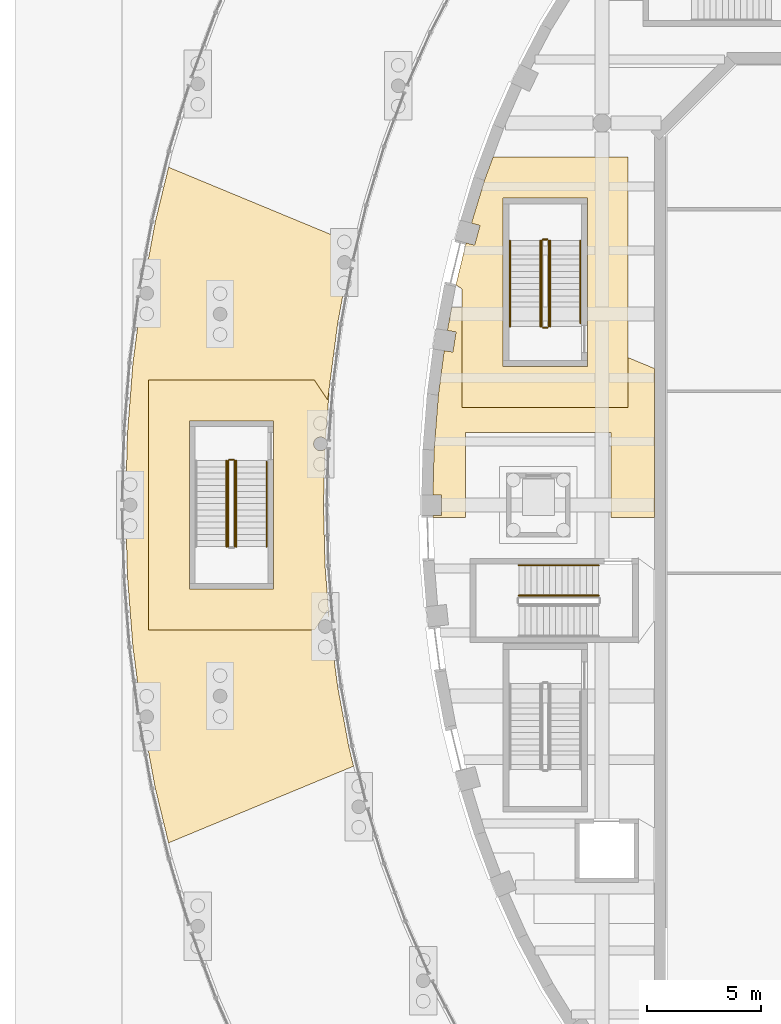
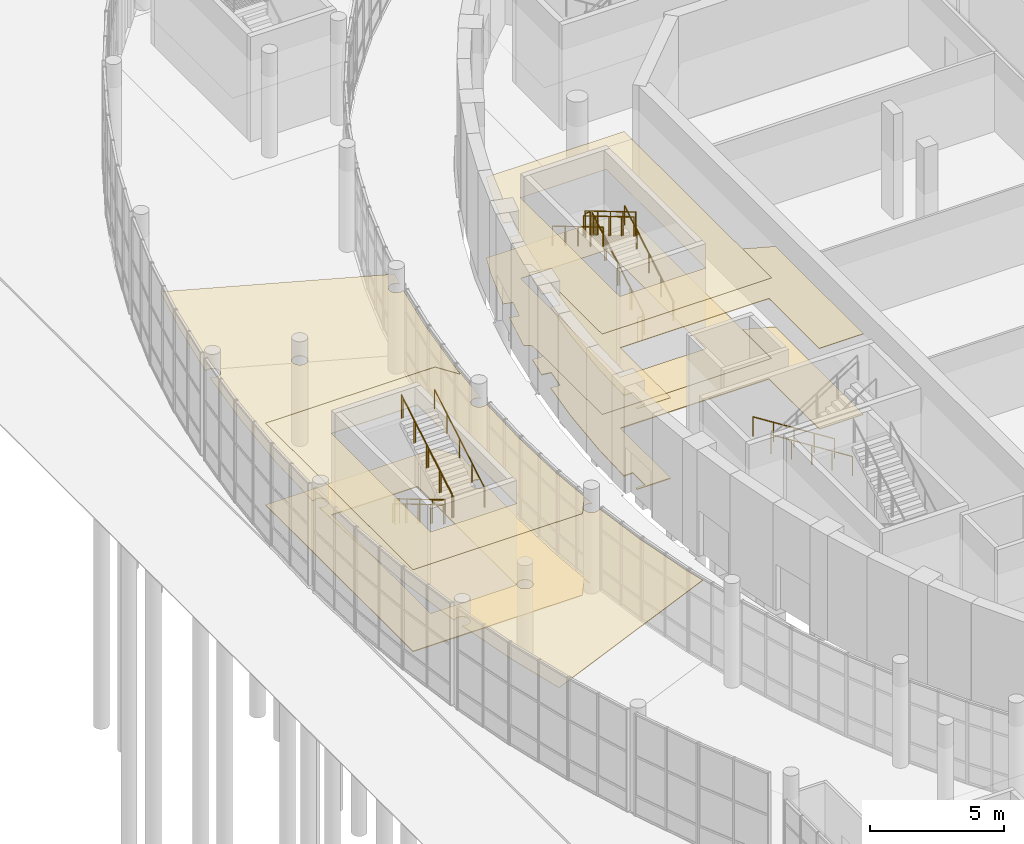
# One storey, part 93 of 110: 16 railings, 7 coverings.
"""IFC4 building model written with IfcOpenShell, lengths in metres."""

from ifc_helpers import new_model, si_unit, direction, frame, origin, origin_2d, place, context, subcontext, project, spatial, polyline, circle, outline, extrude, material, layer, layer_set, type_object, element, save


model = new_model("IFC4")

# Units and contexts
model_context = context("Model", 3, precision=1e-05, world=origin(), true_north=direction((0.0, 1.0)))
body_context = subcontext(model_context, "Body", "Model", "MODEL_VIEW")
ifc_project = project(units=[si_unit("LENGTHUNIT", "METRE"), si_unit("AREAUNIT", "SQUARE_METRE"), si_unit("VOLUMEUNIT", "CUBIC_METRE"), si_unit("PLANEANGLEUNIT", "RADIAN"), si_unit("MASSUNIT", "GRAM", prefix="KILO")], contexts=[model_context])

# Site, building, storey
site_placement = place(None, origin())
site = spatial("IfcSite", under=ifc_project, at=site_placement, CompositionType="ELEMENT")
building_placement = place(site_placement, origin())
building = spatial("IfcBuilding", under=site, at=building_placement, Name="Larchfold Concert Hall", CompositionType="ELEMENT")
storey_placement = place(building_placement, origin())
storey = spatial("IfcBuildingStorey", under=building, at=storey_placement, Name="L00", CompositionType="ELEMENT", Elevation=0.0)

# Coverings
ifc_material_1 = material(Name="Mineral fibre ceiling tile")
ifc_layer_1 = layer(ifc_material_1, 0.02001953125)
ifc_layer_set_1 = layer_set([ifc_layer_1], Name="Mineral fibre ceiling tile")
covering_type_1 = type_object("IfcCoveringType", Name="Ceiling mineral fibre tile 20", PredefinedType="CEILING", material=ifc_layer_set_1)
covering_1_placement = place(storey_placement, frame((0.0, 0.0, 3.68017578125)))
element("IfcCovering", 1, at=covering_1_placement, inside=storey, type_object=covering_type_1, Name="Ceiling Undercroft Escape Corridor 10", PredefinedType="CEILING", context=body_context, shape_type="SweptSolid", body=[
    extrude(outline(polyline([(19.596923828125, 94.128173828125), (19.639892578125, 94.0908203125), (19.64990234375, 93.294189453125), (19.64990234375, 88.89990234375), (26.949951171875, 88.89990234375), (26.949951171875, 99.900146484375), (21.00634765625, 99.900146484375), (20.629638671875, 98.88037109375), (20.057373046875, 96.996337890625), (20.4306640625, 96.89453125), (20.19384765625, 96.0263671875), (19.8203125, 96.128173828125), (19.37109375, 94.277099609375), (19.631591796875, 94.116455078125), (19.596923828125, 94.128173828125)]), holes=[polyline([(21.449951171875, 90.699951171875), (21.449951171875, 98.10009765625), (25.14990234375, 98.10009765625), (25.14990234375, 90.699951171875), (21.449951171875, 90.699951171875)])]), origin(), (0.0, 0.0, 1.0), 0.02001953125),
])
ifc_material_2 = material(Name="Plasterboard ceiling lining")
ifc_layer_2 = layer(ifc_material_2, 0.030029296875)
ifc_layer_set_2 = layer_set([ifc_layer_2], Name="Plasterboard ceiling lining")
covering_type_2 = type_object("IfcCoveringType", Name="Ceiling suspended plasterboard 30", PredefinedType="CEILING", material=ifc_layer_set_2)
covering_2_placement = place(storey_placement, frame((0.0, 0.0, 3.670166015625)))
element("IfcCovering", 2, at=covering_2_placement, inside=storey, type_object=covering_type_2, Name="Ceiling Hall Foyer West", PredefinedType="CEILING", context=body_context, shape_type="SweptSolid", body=[
    extrude(outline(polyline([(19.64990234375, 93.294189453125), (19.185546875, 93.294189453125), (18.99658203125, 92.276611328125), (19.37939453125, 92.216064453125), (19.239013671875, 91.3271484375), (18.85595703125, 91.3876953125), (18.600341796875, 89.433837890625), (18.41259765625, 87.020263671875), (18.36181640625, 85.050048828125), (18.75, 85.050048828125), (18.75, 84.150146484375), (18.36181640625, 84.150146484375), (18.364501953125, 84.050048828125), (19.800048828125, 84.050048828125), (19.800048828125, 87.800048828125), (26.199951171875, 87.800048828125), (26.199951171875, 84.050048828125), (28.10009765625, 84.050048828125), (28.10009765625, 90.60595703125), (26.949951171875, 91.08251953125), (26.949951171875, 88.89990234375), (19.64990234375, 88.89990234375), (19.64990234375, 93.294189453125)])), origin(), (0.0, 0.0, 1.0), 0.030029296875),
])
covering_3_placement = place(storey_placement, frame((0.0, 0.0, 3.719970703125)))
element("IfcCovering", 3, at=covering_3_placement, inside=storey, type_object=covering_type_2, Name="Ceiling Winter Garden Concourse West", PredefinedType="CEILING", context=body_context, shape_type="SweptSolid", body=[
    extrude(outline(polyline([(5.168212890625, 78.366455078125), (5.54541015625, 75.484619140625), (5.59033203125, 75.528076171875), (5.623046875, 75.5498046875), (5.6953125, 75.579833984375), (5.77294921875, 75.590087890625), (5.8505859375, 75.579833984375), (5.9228515625, 75.5498046875), (5.985107421875, 75.502197265625), (6.03271484375, 75.43994140625), (6.050048828125, 75.40478515625), (6.0703125, 75.3291015625), (6.072998046875, 75.2900390625), (6.062744140625, 75.21240234375), (6.03271484375, 75.14013671875), (5.985107421875, 75.077880859375), (5.9228515625, 75.0302734375), (5.8505859375, 75.000244140625), (5.77294921875, 74.989990234375), (5.6953125, 75.000244140625), (5.616455078125, 75.03466796875), (6.1494140625, 72.16064453125), (6.736572265625, 69.742919921875), (14.870849609375, 73.1142578125), (14.66015625, 73.9814453125), (14.17138671875, 76.616455078125), (13.85205078125, 79.06201171875), (13.8076171875, 79.01904296875), (13.77490234375, 78.997314453125), (13.70263671875, 78.96728515625), (13.625, 78.95703125), (13.54736328125, 78.96728515625), (13.47509765625, 78.997314453125), (13.4423828125, 79.01904296875), (13.386962890625, 79.074462890625), (13.347900390625, 79.142333984375), (13.32763671875, 79.218017578125), (13.324951171875, 79.257080078125), (13.335205078125, 79.334716796875), (13.365234375, 79.406982421875), (13.412841796875, 79.46923828125), (13.47509765625, 79.516845703125), (13.54736328125, 79.546875), (13.625, 79.55712890625), (13.70263671875, 79.546875), (13.73974609375, 79.5341796875), (13.79443359375, 79.50390625), (13.732177734375, 79.980712890625), (13.14111328125, 79.099853515625), (5.8505859375, 79.10595703125), (5.8505859375, 90.093994140625), (13.14111328125, 90.10009765625), (13.732177734375, 89.219482421875), (14.17138671875, 92.583740234375), (14.6220703125, 95.013671875), (14.544677734375, 94.980224609375), (14.467041015625, 94.969970703125), (14.389404296875, 94.980224609375), (14.317138671875, 95.01025390625), (14.2548828125, 95.057861328125), (14.207275390625, 95.1201171875), (14.17724609375, 95.1923828125), (14.1669921875, 95.27001953125), (14.169677734375, 95.30908203125), (14.18994140625, 95.384765625), (14.22900390625, 95.45263671875), (14.284423828125, 95.508056640625), (14.317138671875, 95.52978515625), (14.389404296875, 95.559814453125), (14.427978515625, 95.5673828125), (14.506103515625, 95.5673828125), (14.581787109375, 95.547119140625), (14.649658203125, 95.508056640625), (14.7138671875, 95.439453125), (14.870849609375, 96.0859375), (6.736083984375, 99.455322265625), (6.1494140625, 97.03955078125), (5.616455078125, 94.16650390625), (5.6953125, 94.20068359375), (5.77294921875, 94.2109375), (5.8505859375, 94.20068359375), (5.9228515625, 94.170654296875), (5.95556640625, 94.14892578125), (6.010986328125, 94.093505859375), (6.050048828125, 94.025634765625), (6.062744140625, 93.988525390625), (6.072998046875, 93.910888671875), (6.062744140625, 93.833251953125), (6.03271484375, 93.760986328125), (5.985107421875, 93.69873046875), (5.9228515625, 93.651123046875), (5.8505859375, 93.62109375), (5.77294921875, 93.61083984375), (5.6953125, 93.62109375), (5.623046875, 93.651123046875), (5.59033203125, 93.6728515625), (5.54541015625, 93.71630859375), (5.168212890625, 90.833740234375), (4.92626953125, 87.71826171875), (4.8515625, 84.827880859375), (4.93115234375, 84.877197265625), (5.0068359375, 84.8974609375), (5.0849609375, 84.8974609375), (5.16064453125, 84.877197265625), (5.19580078125, 84.85986328125), (5.258056640625, 84.812255859375), (5.3056640625, 84.75), (5.335693359375, 84.677734375), (5.345947265625, 84.60009765625), (5.335693359375, 84.5224609375), (5.3056640625, 84.4501953125), (5.258056640625, 84.387939453125), (5.228515625, 84.362060546875), (5.16064453125, 84.322998046875), (5.0849609375, 84.302734375), (5.0068359375, 84.302734375), (4.93115234375, 84.322998046875), (4.8515625, 84.372314453125), (4.92626953125, 81.48193359375), (5.168212890625, 78.366455078125)]), holes=[polyline([(8.8173828125, 75.9619140625), (8.761962890625, 76.017333984375), (8.740234375, 76.050048828125), (8.710205078125, 76.122314453125), (8.70263671875, 76.160888671875), (8.699951171875, 76.199951171875), (8.710205078125, 76.277587890625), (8.740234375, 76.349853515625), (8.761962890625, 76.382568359375), (8.8173828125, 76.43798828125), (8.85009765625, 76.459716796875), (8.92236328125, 76.48974609375), (8.9609375, 76.497314453125), (9.0390625, 76.497314453125), (9.07763671875, 76.48974609375), (9.14990234375, 76.459716796875), (9.1826171875, 76.43798828125), (9.238037109375, 76.382568359375), (9.259765625, 76.349853515625), (9.289794921875, 76.277587890625), (9.29736328125, 76.239013671875), (9.300048828125, 76.199951171875), (9.289794921875, 76.122314453125), (9.259765625, 76.050048828125), (9.238037109375, 76.017333984375), (9.1826171875, 75.9619140625), (9.14990234375, 75.940185546875), (9.07763671875, 75.91015625), (9.0390625, 75.902587890625), (8.9609375, 75.902587890625), (8.92236328125, 75.91015625), (8.85009765625, 75.940185546875), (8.8173828125, 75.9619140625)]), polyline([(8.8173828125, 92.761962890625), (8.761962890625, 92.8173828125), (8.740234375, 92.85009765625), (8.710205078125, 92.92236328125), (8.70263671875, 92.9609375), (8.699951171875, 93.0), (8.710205078125, 93.07763671875), (8.740234375, 93.14990234375), (8.761962890625, 93.1826171875), (8.8173828125, 93.238037109375), (8.85009765625, 93.259765625), (8.92236328125, 93.289794921875), (8.9609375, 93.29736328125), (9.0390625, 93.29736328125), (9.07763671875, 93.289794921875), (9.14990234375, 93.259765625), (9.1826171875, 93.238037109375), (9.238037109375, 93.1826171875), (9.259765625, 93.14990234375), (9.289794921875, 93.07763671875), (9.29736328125, 93.0390625), (9.300048828125, 93.0), (9.289794921875, 92.92236328125), (9.259765625, 92.85009765625), (9.238037109375, 92.8173828125), (9.1826171875, 92.761962890625), (9.14990234375, 92.740234375), (9.07763671875, 92.710205078125), (9.0390625, 92.70263671875), (8.9609375, 92.70263671875), (8.92236328125, 92.710205078125), (8.85009765625, 92.740234375), (8.8173828125, 92.761962890625)])]), origin(), (0.0, 0.0, 1.0), 0.030029296875),
])
covering_4_placement = place(storey_placement, frame((0.0, 0.0, 3.719970703125)))
element("IfcCovering", 4, at=covering_4_placement, inside=storey, type_object=covering_type_2, Name="Ceiling Foyer 06", PredefinedType="CEILING", context=body_context, shape_type="SweptSolid", body=[
    extrude(outline(polyline([(5.850830078125, 90.09912109375), (5.850830078125, 79.100830078125), (13.149169921875, 79.100830078125), (13.732177734375, 79.980712890625), (13.77685546875, 79.66796875), (13.79345703125, 79.669677734375), (13.617431640625, 81.93115234375), (13.548583984375, 84.60009765625), (13.612060546875, 87.06005859375), (13.53271484375, 87.010986328125), (13.45703125, 86.99072265625), (13.37890625, 86.99072265625), (13.30322265625, 87.010986328125), (13.2353515625, 87.050048828125), (13.179931640625, 87.10546875), (13.158203125, 87.13818359375), (13.128173828125, 87.21044921875), (13.117919921875, 87.2880859375), (13.128173828125, 87.36572265625), (13.158203125, 87.43798828125), (13.179931640625, 87.470703125), (13.2353515625, 87.526123046875), (13.30322265625, 87.565185546875), (13.37890625, 87.58544921875), (13.45703125, 87.58544921875), (13.49560546875, 87.577880859375), (13.56787109375, 87.5478515625), (13.635009765625, 87.49462890625), (13.79345703125, 89.5302734375), (13.77685546875, 89.5322265625), (13.732177734375, 89.219482421875), (13.149169921875, 90.09912109375), (5.850830078125, 90.09912109375)]), holes=[polyline([(7.64990234375, 88.300048828125), (11.35009765625, 88.300048828125), (11.35009765625, 80.89990234375), (7.64990234375, 80.89990234375), (7.64990234375, 88.300048828125)])]), origin(), (0.0, 0.0, 1.0), 0.030029296875),
])
ifc_material_3 = material(Name="Polished terrazzo")
ifc_layer_3 = layer(ifc_material_3, 0.0400390625)
ifc_layer_set_3 = layer_set([ifc_layer_3], Name="Polished terrazzo")
covering_type_3 = type_object("IfcCoveringType", Name="Floor finish terrazzo 40", PredefinedType="FLOORING", material=ifc_layer_set_3)
covering_5_placement = place(storey_placement, origin())
element("IfcCovering", 5, at=covering_5_placement, inside=storey, type_object=covering_type_3, Name="Floor finish Hall Foyer West", PredefinedType="FLOORING", context=body_context, shape_type="SweptSolid", body=[
    extrude(outline(polyline([(19.64990234375, 93.294189453125), (19.185546875, 93.294189453125), (18.99658203125, 92.276611328125), (19.37939453125, 92.216064453125), (19.239013671875, 91.3271484375), (18.85595703125, 91.3876953125), (18.600341796875, 89.433837890625), (18.41259765625, 87.020263671875), (18.36181640625, 85.050048828125), (18.75, 85.050048828125), (18.75, 84.150146484375), (18.36181640625, 84.150146484375), (18.364501953125, 84.050048828125), (19.800048828125, 84.050048828125), (19.800048828125, 87.800048828125), (26.199951171875, 87.800048828125), (26.199951171875, 84.050048828125), (28.10009765625, 84.050048828125), (28.10009765625, 90.60595703125), (26.949951171875, 91.08251953125), (26.949951171875, 88.89990234375), (19.64990234375, 88.89990234375), (19.64990234375, 93.294189453125)])), origin(), (0.0, 0.0, 1.0), 0.0400390625),
])
covering_6_placement = place(storey_placement, origin())
element("IfcCovering", 6, at=covering_6_placement, inside=storey, type_object=covering_type_3, Name="Floor finish Foyer 06", PredefinedType="FLOORING", context=body_context, shape_type="SweptSolid", body=[
    extrude(outline(polyline([(5.850830078125, 90.09912109375), (5.850830078125, 79.100830078125), (13.149169921875, 79.100830078125), (13.732177734375, 79.980712890625), (13.77685546875, 79.66796875), (13.79345703125, 79.669677734375), (13.617431640625, 81.93115234375), (13.548583984375, 84.60009765625), (13.612060546875, 87.06005859375), (13.53271484375, 87.010986328125), (13.45703125, 86.99072265625), (13.37890625, 86.99072265625), (13.30322265625, 87.010986328125), (13.2353515625, 87.050048828125), (13.179931640625, 87.10546875), (13.158203125, 87.13818359375), (13.128173828125, 87.21044921875), (13.117919921875, 87.2880859375), (13.128173828125, 87.36572265625), (13.158203125, 87.43798828125), (13.179931640625, 87.470703125), (13.2353515625, 87.526123046875), (13.30322265625, 87.565185546875), (13.37890625, 87.58544921875), (13.45703125, 87.58544921875), (13.49560546875, 87.577880859375), (13.56787109375, 87.5478515625), (13.635009765625, 87.49462890625), (13.79345703125, 89.5302734375), (13.77685546875, 89.5322265625), (13.732177734375, 89.219482421875), (13.149169921875, 90.09912109375), (5.850830078125, 90.09912109375)]), holes=[polyline([(7.64990234375, 88.300048828125), (11.35009765625, 88.300048828125), (11.35009765625, 80.89990234375), (7.64990234375, 80.89990234375), (7.64990234375, 88.300048828125)])]), origin(), (0.0, 0.0, 1.0), 0.0400390625),
])
ifc_material_4 = material(Name="Linoleum sheet")
ifc_layer_4 = layer(ifc_material_4, 0.02001953125)
ifc_layer_set_4 = layer_set([ifc_layer_4], Name="Linoleum sheet")
covering_type_4 = type_object("IfcCoveringType", Name="Floor finish vinyl 20", PredefinedType="FLOORING", material=ifc_layer_set_4)
covering_7_placement = place(storey_placement, origin())
element("IfcCovering", 7, at=covering_7_placement, inside=storey, type_object=covering_type_4, Name="Floor finish Undercroft Escape Corridor 10", PredefinedType="FLOORING", context=body_context, shape_type="SweptSolid", body=[
    extrude(outline(polyline([(19.596923828125, 94.128173828125), (19.639892578125, 94.0908203125), (19.64990234375, 93.294189453125), (19.64990234375, 88.89990234375), (26.949951171875, 88.89990234375), (26.949951171875, 99.900146484375), (21.00634765625, 99.900146484375), (20.629638671875, 98.88037109375), (20.057373046875, 96.996337890625), (20.4306640625, 96.89453125), (20.19384765625, 96.0263671875), (19.8203125, 96.128173828125), (19.37109375, 94.277099609375), (19.631591796875, 94.116455078125), (19.596923828125, 94.128173828125)]), holes=[polyline([(21.449951171875, 90.699951171875), (21.449951171875, 98.10009765625), (25.14990234375, 98.10009765625), (25.14990234375, 90.699951171875), (21.449951171875, 90.699951171875)])]), origin(), (0.0, 0.0, 1.0), 0.02001953125),
])

# Railings
ifc_material_5 = material(Name="Stainless steel balustrade", Category="steel")
railing_type_1 = type_object("IfcRailingType", Name="Stair guard 1100", PredefinedType="GUARDRAIL", material=ifc_material_5)
railing_1_placement = place(storey_placement, frame((23.449951171875, 92.449951171875, 0.159912109375)))
element("IfcRailing", 8, at=railing_1_placement, inside=storey, type_object=railing_type_1, Name="Guard GR0013", PredefinedType="GUARDRAIL", context=body_context, shape_type="SweptSolid", body=[
    extrude(circle(Radius=0.02392578125, at=origin_2d()), frame((0.0, 0.0, 1.076171875), z_axis=(0.0, 0.860294241299, 0.509797821089), x_axis=(-1.0, 0.0, 0.0)), (0.0, 0.0, 1.0), 4.393798828125),
    extrude(circle(Radius=0.02099609375, at=origin_2d()), origin(), (0.0, 0.0, 1.0), 1.052001953125),
    extrude(circle(Radius=0.02099609375, at=origin_2d()), frame((0.0, 0.945068359375, 0.56005859375)), (0.0, 0.0, 1.0), 1.052001953125),
    extrude(circle(Radius=0.02099609375, at=origin_2d()), frame((0.0, 1.89013671875, 1.1201171875)), (0.0, 0.0, 1.0), 1.052001953125),
    extrude(circle(Radius=0.02099609375, at=origin_2d()), frame((0.0, 2.8349609375, 1.679931640625)), (0.0, 0.0, 1.0), 1.052001953125),
    extrude(circle(Radius=0.02099609375, at=origin_2d()), frame((0.0, 3.780029296875, 2.239990234375)), (0.0, 0.0, 1.0), 1.052001953125),
])
railing_2_placement = place(storey_placement, frame((23.39990234375, 96.280029296875, 2.39990234375)))
element("IfcRailing", 9, at=railing_2_placement, inside=storey, type_object=railing_type_1, Name="Guard GR0018", PredefinedType="GUARDRAIL", context=body_context, shape_type="SweptSolid", body=[
    extrude(circle(Radius=0.02392578125, at=origin_2d()), frame((0.0, 0.0, 1.076171875), z_axis=(-1.0, 0.0, 0.0), x_axis=(0.0, -1.0, 0.0)), (0.0, 0.0, 1.0), 0.199951171875),
    extrude(circle(Radius=0.02099609375, at=origin_2d()), origin(), (0.0, 0.0, 1.0), 1.052001953125),
    extrude(circle(Radius=0.02099609375, at=origin_2d()), frame((-0.199951171875, 0.0, 0.0)), (0.0, 0.0, 1.0), 1.052001953125),
])
railing_3_placement = place(storey_placement, frame((23.14990234375, 96.22998046875, 2.56005859375)))
element("IfcRailing", 10, at=railing_3_placement, inside=storey, type_object=railing_type_1, Name="Guard GR0019", PredefinedType="GUARDRAIL", context=body_context, shape_type="SweptSolid", body=[
    extrude(circle(Radius=0.02392578125, at=origin_2d()), frame((0.0, 0.0, 1.076171875), z_axis=(0.0, -0.860294241299, 0.509797821089), x_axis=(1.0, 0.0, 0.0)), (0.0, 0.0, 1.0), 4.393798828125),
    extrude(circle(Radius=0.02099609375, at=origin_2d()), origin(), (0.0, 0.0, 1.0), 1.052001953125),
    extrude(circle(Radius=0.02099609375, at=origin_2d()), frame((0.0, -0.945068359375, 0.56005859375)), (0.0, 0.0, 1.0), 1.052001953125),
    extrude(circle(Radius=0.02099609375, at=origin_2d()), frame((0.0, -1.89013671875, 1.1201171875)), (0.0, 0.0, 1.0), 1.052001953125),
    extrude(circle(Radius=0.02099609375, at=origin_2d()), frame((0.0, -2.8349609375, 1.679931640625)), (0.0, 0.0, 1.0), 1.052001953125),
    extrude(circle(Radius=0.02099609375, at=origin_2d()), frame((0.0, -3.780029296875, 2.239990234375)), (0.0, 0.0, 1.0), 1.052001953125),
])
railing_4_placement = place(storey_placement, frame((23.39990234375, 92.39990234375, 0.0)))
element("IfcRailing", 11, at=railing_4_placement, inside=storey, type_object=railing_type_1, Name="Guard GR0020", PredefinedType="GUARDRAIL", context=body_context, shape_type="SweptSolid", body=[
    extrude(circle(Radius=0.02392578125, at=origin_2d()), frame((0.0, 0.0, 1.076171875), z_axis=(-1.0, 0.0, 0.0), x_axis=(0.0, -1.0, 0.0)), (0.0, 0.0, 1.0), 0.199951171875),
    extrude(circle(Radius=0.02099609375, at=origin_2d()), origin(), (0.0, 0.0, 1.0), 1.052001953125),
    extrude(circle(Radius=0.02099609375, at=origin_2d()), frame((-0.199951171875, 0.0, 0.0)), (0.0, 0.0, 1.0), 1.052001953125),
])
railing_5_placement = place(storey_placement, frame((9.349853515625, 86.550048828125, 0.159912109375)))
element("IfcRailing", 12, at=railing_5_placement, inside=storey, type_object=railing_type_1, Name="Guard GR0097", PredefinedType="GUARDRAIL", context=body_context, shape_type="SweptSolid", body=[
    extrude(circle(Radius=0.02392578125, at=origin_2d()), frame((0.0, 0.0, 1.076171875), z_axis=(0.0, -0.860294241299, 0.509797821089), x_axis=(1.0, 0.0, 0.0)), (0.0, 0.0, 1.0), 4.393798828125),
    extrude(circle(Radius=0.02099609375, at=origin_2d()), origin(), (0.0, 0.0, 1.0), 1.052001953125),
    extrude(circle(Radius=0.02099609375, at=origin_2d()), frame((0.0, -0.945068359375, 0.56005859375)), (0.0, 0.0, 1.0), 1.052001953125),
    extrude(circle(Radius=0.02099609375, at=origin_2d()), frame((0.0, -1.89013671875, 1.1201171875)), (0.0, 0.0, 1.0), 1.052001953125),
    extrude(circle(Radius=0.02099609375, at=origin_2d()), frame((0.0, -2.8349609375, 1.679931640625)), (0.0, 0.0, 1.0), 1.052001953125),
    extrude(circle(Radius=0.02099609375, at=origin_2d()), frame((0.0, -3.780029296875, 2.239990234375)), (0.0, 0.0, 1.0), 1.052001953125),
])
railing_6_placement = place(storey_placement, frame((9.64990234375, 82.77001953125, 2.56005859375)))
element("IfcRailing", 13, at=railing_6_placement, inside=storey, type_object=railing_type_1, Name="Guard GR0099", PredefinedType="GUARDRAIL", context=body_context, shape_type="SweptSolid", body=[
    extrude(circle(Radius=0.02392578125, at=origin_2d()), frame((0.0, 0.0, 1.076171875), z_axis=(0.0, 0.860294241299, 0.509797821089), x_axis=(-1.0, 0.0, 0.0)), (0.0, 0.0, 1.0), 4.393798828125),
    extrude(circle(Radius=0.02099609375, at=origin_2d()), origin(), (0.0, 0.0, 1.0), 1.052001953125),
    extrude(circle(Radius=0.02099609375, at=origin_2d()), frame((0.0, 0.945068359375, 0.56005859375)), (0.0, 0.0, 1.0), 1.052001953125),
    extrude(circle(Radius=0.02099609375, at=origin_2d()), frame((0.0, 1.89013671875, 1.1201171875)), (0.0, 0.0, 1.0), 1.052001953125),
    extrude(circle(Radius=0.02099609375, at=origin_2d()), frame((0.0, 2.8349609375, 1.679931640625)), (0.0, 0.0, 1.0), 1.052001953125),
    extrude(circle(Radius=0.02099609375, at=origin_2d()), frame((0.0, 3.780029296875, 2.239990234375)), (0.0, 0.0, 1.0), 1.052001953125),
])
railing_7_placement = place(storey_placement, frame((9.39990234375, 86.60009765625, 0.0)))
element("IfcRailing", 14, at=railing_7_placement, inside=storey, type_object=railing_type_1, Name="Guard GR0100", PredefinedType="GUARDRAIL", context=body_context, shape_type="SweptSolid", body=[
    extrude(circle(Radius=0.02392578125, at=origin_2d()), frame((0.0, 0.0, 1.076171875), z_axis=(1.0, 0.0, 0.0), x_axis=(0.0, 1.0, 0.0)), (0.0, 0.0, 1.0), 0.199951171875),
    extrude(circle(Radius=0.02099609375, at=origin_2d()), origin(), (0.0, 0.0, 1.0), 1.052001953125),
    extrude(circle(Radius=0.02099609375, at=origin_2d()), frame((0.199951171875, 0.0, 0.0)), (0.0, 0.0, 1.0), 1.052001953125),
])
ifc_material_6 = material(Name="Stainless steel handrail", Category="steel")
railing_type_2 = type_object("IfcRailingType", Name="Stair handrail 900", PredefinedType="HANDRAIL", material=ifc_material_6)
railing_8_placement = place(storey_placement, frame((24.849853515625, 92.60009765625, 0.2490234375)))
element("IfcRailing", 15, at=railing_8_placement, inside=storey, type_object=railing_type_2, Name="Handrail HR0013", PredefinedType="HANDRAIL", context=body_context, shape_type="SweptSolid", body=[
    extrude(circle(Radius=0.02392578125, at=origin_2d()), frame((0.0, 0.0, 0.8759765625), z_axis=(0.0, 0.860308451506, 0.509773840313), x_axis=(-1.0, 0.0, 0.0)), (0.0, 0.0, 1.0), 4.21923828125),
    extrude(circle(Radius=0.02099609375, at=origin_2d()), origin(), (0.0, 0.0, 1.0), 0.851806640625),
    extrude(circle(Radius=0.02099609375, at=origin_2d()), frame((0.0, 0.907470703125, 0.53759765625)), (0.0, 0.0, 1.0), 0.851806640625),
    extrude(circle(Radius=0.02099609375, at=origin_2d()), frame((0.0, 1.81494140625, 1.075439453125)), (0.0, 0.0, 1.0), 0.851806640625),
    extrude(circle(Radius=0.02099609375, at=origin_2d()), frame((0.0, 2.722412109375, 1.61328125)), (0.0, 0.0, 1.0), 0.851806640625),
    extrude(circle(Radius=0.02099609375, at=origin_2d()), frame((0.0, 3.6298828125, 2.15087890625)), (0.0, 0.0, 1.0), 0.851806640625),
])
railing_9_placement = place(storey_placement, frame((21.75, 96.22998046875, 2.56005859375)))
element("IfcRailing", 16, at=railing_9_placement, inside=storey, type_object=railing_type_2, Name="Handrail HR0014", PredefinedType="HANDRAIL", context=body_context, shape_type="SweptSolid", body=[
    extrude(circle(Radius=0.02392578125, at=origin_2d()), frame((0.0, 0.0, 0.8759765625), z_axis=(0.0, -0.860294241299, 0.509797821089), x_axis=(1.0, 0.0, 0.0)), (0.0, 0.0, 1.0), 4.393798828125),
    extrude(circle(Radius=0.02099609375, at=origin_2d()), origin(), (0.0, 0.0, 1.0), 0.851806640625),
    extrude(circle(Radius=0.02099609375, at=origin_2d()), frame((0.0, -0.945068359375, 0.56005859375)), (0.0, 0.0, 1.0), 0.851806640625),
    extrude(circle(Radius=0.02099609375, at=origin_2d()), frame((0.0, -1.89013671875, 1.1201171875)), (0.0, 0.0, 1.0), 0.851806640625),
    extrude(circle(Radius=0.02099609375, at=origin_2d()), frame((0.0, -2.8349609375, 1.679931640625)), (0.0, 0.0, 1.0), 0.851806640625),
    extrude(circle(Radius=0.02099609375, at=origin_2d()), frame((0.0, -3.780029296875, 2.239990234375)), (0.0, 0.0, 1.0), 0.851806640625),
])
railing_10_placement = place(storey_placement, frame((23.52001953125, 92.449951171875, 0.159912109375)))
element("IfcRailing", 17, at=railing_10_placement, inside=storey, type_object=railing_type_2, Name="Handrail HR0015", PredefinedType="HANDRAIL", context=body_context, shape_type="SweptSolid", body=[
    extrude(circle(Radius=0.02392578125, at=origin_2d()), frame((0.0, 0.0, 0.8759765625), z_axis=(0.0, 0.860294241299, 0.509797821089), x_axis=(-1.0, 0.0, 0.0)), (0.0, 0.0, 1.0), 4.393798828125),
    extrude(circle(Radius=0.02099609375, at=origin_2d()), origin(), (0.0, 0.0, 1.0), 0.851806640625),
    extrude(circle(Radius=0.02099609375, at=origin_2d()), frame((0.0, 0.945068359375, 0.56005859375)), (0.0, 0.0, 1.0), 0.851806640625),
    extrude(circle(Radius=0.02099609375, at=origin_2d()), frame((0.0, 1.89013671875, 1.1201171875)), (0.0, 0.0, 1.0), 0.851806640625),
    extrude(circle(Radius=0.02099609375, at=origin_2d()), frame((0.0, 2.8349609375, 1.679931640625)), (0.0, 0.0, 1.0), 0.851806640625),
    extrude(circle(Radius=0.02099609375, at=origin_2d()), frame((0.0, 3.780029296875, 2.239990234375)), (0.0, 0.0, 1.0), 0.851806640625),
])
railing_11_placement = place(storey_placement, frame((23.079833984375, 96.22998046875, 2.56005859375)))
element("IfcRailing", 18, at=railing_11_placement, inside=storey, type_object=railing_type_2, Name="Handrail HR0016", PredefinedType="HANDRAIL", context=body_context, shape_type="SweptSolid", body=[
    extrude(circle(Radius=0.02392578125, at=origin_2d()), frame((0.0, 0.0, 0.8759765625), z_axis=(0.0, -0.860294241299, 0.509797821089), x_axis=(1.0, 0.0, 0.0)), (0.0, 0.0, 1.0), 4.393798828125),
    extrude(circle(Radius=0.02099609375, at=origin_2d()), origin(), (0.0, 0.0, 1.0), 0.851806640625),
    extrude(circle(Radius=0.02099609375, at=origin_2d()), frame((0.0, -0.945068359375, 0.56005859375)), (0.0, 0.0, 1.0), 0.851806640625),
    extrude(circle(Radius=0.02099609375, at=origin_2d()), frame((0.0, -1.89013671875, 1.1201171875)), (0.0, 0.0, 1.0), 0.851806640625),
    extrude(circle(Radius=0.02099609375, at=origin_2d()), frame((0.0, -2.8349609375, 1.679931640625)), (0.0, 0.0, 1.0), 0.851806640625),
    extrude(circle(Radius=0.02099609375, at=origin_2d()), frame((0.0, -3.780029296875, 2.239990234375)), (0.0, 0.0, 1.0), 0.851806640625),
])
for number, where, name in (
    (19, (25.64990234375, 81.949951171875, 0.17138671875), "Handrail HR0025"),
    (20, (25.64990234375, 80.6201171875, 0.17138671875), "Handrail HR0027"),
):
    element("IfcRailing", number, at=place(storey_placement, frame(where)), inside=storey, type_object=railing_type_2, Name=name, PredefinedType="HANDRAIL", context=body_context, shape_type="SweptSolid", body=[
        extrude(circle(Radius=0.02392578125, at=origin_2d()), frame((0.0, 0.0, 0.8759765625), z_axis=(-0.844219563411, 0.0, 0.53599750816), x_axis=(0.0, -1.0, 0.0)), (0.0, 0.0, 1.0), 4.15771484375),
        extrude(circle(Radius=0.02099609375, at=origin_2d()), origin(), (0.0, 0.0, 1.0), 0.851806640625),
        extrude(circle(Radius=0.02099609375, at=origin_2d()), frame((-0.87744140625, 0.0, 0.55712890625)), (0.0, 0.0, 1.0), 0.851806640625),
        extrude(circle(Radius=0.02099609375, at=origin_2d()), frame((-1.7548828125, 0.0, 1.1142578125)), (0.0, 0.0, 1.0), 0.851806640625),
        extrude(circle(Radius=0.02099609375, at=origin_2d()), frame((-2.632568359375, 0.0, 1.67138671875)), (0.0, 0.0, 1.0), 0.851806640625),
        extrude(circle(Radius=0.02099609375, at=origin_2d()), frame((-3.510009765625, 0.0, 2.228515625)), (0.0, 0.0, 1.0), 0.851806640625),
    ])
railing_12_placement = place(storey_placement, frame((11.0498046875, 82.77001953125, 2.56005859375)))
element("IfcRailing", 21, at=railing_12_placement, inside=storey, type_object=railing_type_2, Name="Handrail HR0094", PredefinedType="HANDRAIL", context=body_context, shape_type="SweptSolid", body=[
    extrude(circle(Radius=0.02392578125, at=origin_2d()), frame((0.0, 0.0, 0.8759765625), z_axis=(0.0, 0.86030708285, 0.509776150088), x_axis=(-1.0, 0.0, 0.0)), (0.0, 0.0, 1.0), 4.335693359375),
    extrude(circle(Radius=0.02099609375, at=origin_2d()), origin(), (0.0, 0.0, 1.0), 0.851806640625),
    extrude(circle(Radius=0.02099609375, at=origin_2d()), frame((0.0, 0.9326171875, 0.552490234375)), (0.0, 0.0, 1.0), 0.851806640625),
    extrude(circle(Radius=0.02099609375, at=origin_2d()), frame((0.0, 1.864990234375, 1.10498046875)), (0.0, 0.0, 1.0), 0.851806640625),
    extrude(circle(Radius=0.02099609375, at=origin_2d()), frame((0.0, 2.79736328125, 1.65771484375)), (0.0, 0.0, 1.0), 0.851806640625),
    extrude(circle(Radius=0.02099609375, at=origin_2d()), frame((0.0, 3.72998046875, 2.210205078125)), (0.0, 0.0, 1.0), 0.851806640625),
])
railing_13_placement = place(storey_placement, frame((9.27978515625, 86.550048828125, 0.159912109375)))
element("IfcRailing", 22, at=railing_13_placement, inside=storey, type_object=railing_type_2, Name="Handrail HR0095", PredefinedType="HANDRAIL", context=body_context, shape_type="SweptSolid", body=[
    extrude(circle(Radius=0.02392578125, at=origin_2d()), frame((0.0, 0.0, 0.8759765625), z_axis=(0.0, -0.860294241299, 0.509797821089), x_axis=(1.0, 0.0, 0.0)), (0.0, 0.0, 1.0), 4.393798828125),
    extrude(circle(Radius=0.02099609375, at=origin_2d()), origin(), (0.0, 0.0, 1.0), 0.851806640625),
    extrude(circle(Radius=0.02099609375, at=origin_2d()), frame((0.0, -0.945068359375, 0.56005859375)), (0.0, 0.0, 1.0), 0.851806640625),
    extrude(circle(Radius=0.02099609375, at=origin_2d()), frame((0.0, -1.89013671875, 1.1201171875)), (0.0, 0.0, 1.0), 0.851806640625),
    extrude(circle(Radius=0.02099609375, at=origin_2d()), frame((0.0, -2.8349609375, 1.679931640625)), (0.0, 0.0, 1.0), 0.851806640625),
    extrude(circle(Radius=0.02099609375, at=origin_2d()), frame((0.0, -3.780029296875, 2.239990234375)), (0.0, 0.0, 1.0), 0.851806640625),
])
railing_14_placement = place(storey_placement, frame((9.719970703125, 82.77001953125, 2.56005859375)))
element("IfcRailing", 23, at=railing_14_placement, inside=storey, type_object=railing_type_2, Name="Handrail HR0096", PredefinedType="HANDRAIL", context=body_context, shape_type="SweptSolid", body=[
    extrude(circle(Radius=0.02392578125, at=origin_2d()), frame((0.0, 0.0, 0.8759765625), z_axis=(0.0, 0.860294241299, 0.509797821089), x_axis=(-1.0, 0.0, 0.0)), (0.0, 0.0, 1.0), 4.393798828125),
    extrude(circle(Radius=0.02099609375, at=origin_2d()), origin(), (0.0, 0.0, 1.0), 0.851806640625),
    extrude(circle(Radius=0.02099609375, at=origin_2d()), frame((0.0, 0.945068359375, 0.56005859375)), (0.0, 0.0, 1.0), 0.851806640625),
    extrude(circle(Radius=0.02099609375, at=origin_2d()), frame((0.0, 1.89013671875, 1.1201171875)), (0.0, 0.0, 1.0), 0.851806640625),
    extrude(circle(Radius=0.02099609375, at=origin_2d()), frame((0.0, 2.8349609375, 1.679931640625)), (0.0, 0.0, 1.0), 0.851806640625),
    extrude(circle(Radius=0.02099609375, at=origin_2d()), frame((0.0, 3.780029296875, 2.239990234375)), (0.0, 0.0, 1.0), 0.851806640625),
])

save(model, "model.ifc")
